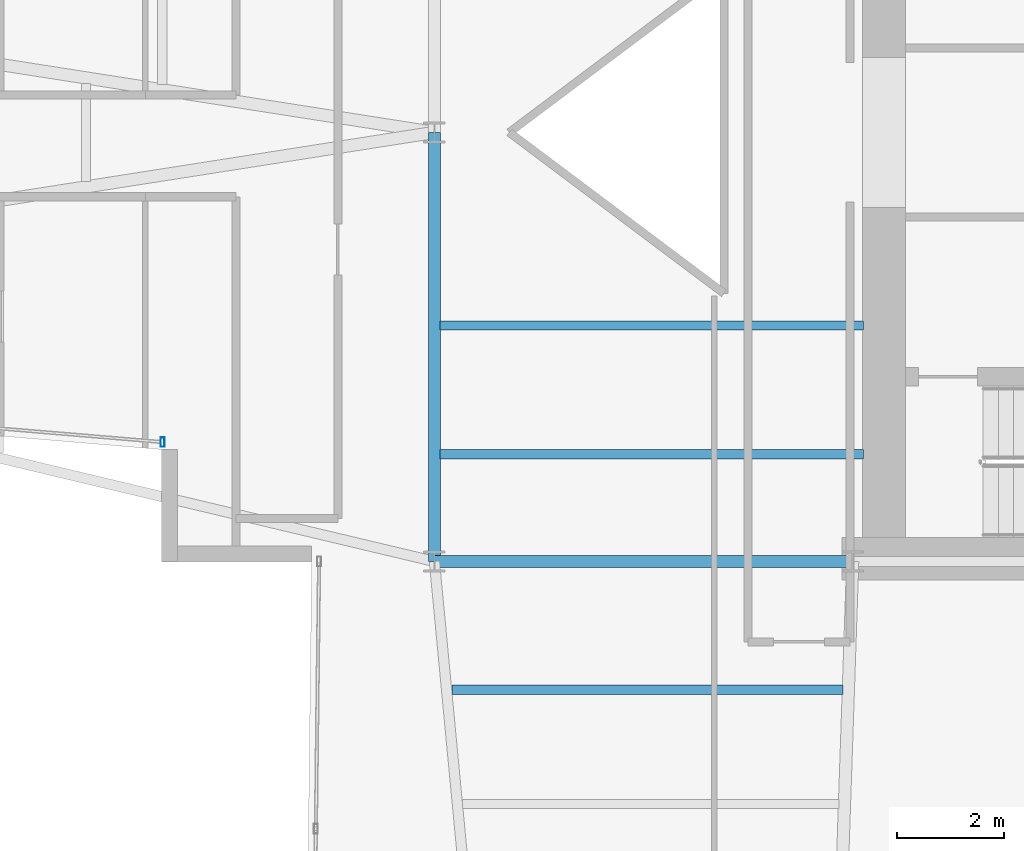
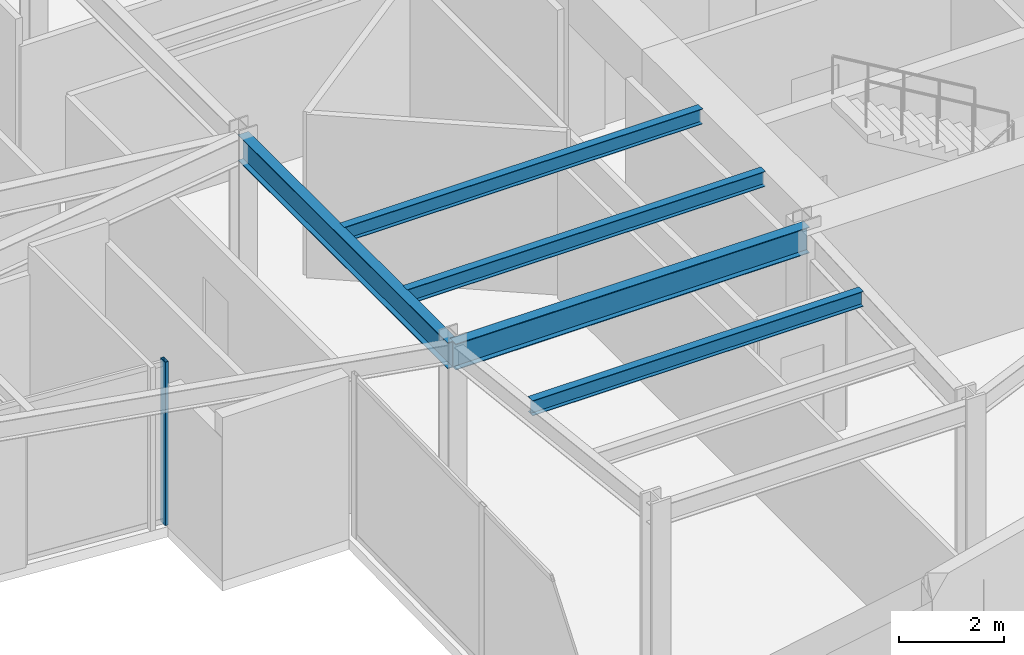
# One storey, part 5 of 26: 5 beams, 1 member, 1 element without a shape of its own.
"""IFC4 building model written with IfcOpenShell, lengths in metres."""

from ifc_helpers import new_model, si_unit, direction, frame, origin, origin_2d, place, context, subcontext, project, spatial, hollow_rectangle, i_section, extrude, material, layer, layer_set, material_profile, profile_set, type_object, element, aggregate, save


model = new_model("IFC4")

# Units and contexts
model_context = context("Model", 3, precision=1e-05, world=origin(), true_north=direction((0.0, 1.0)))
body_context = subcontext(model_context, "Body", "Model", "MODEL_VIEW")
ifc_project = project(units=[si_unit("LENGTHUNIT", "METRE"), si_unit("AREAUNIT", "SQUARE_METRE"), si_unit("VOLUMEUNIT", "CUBIC_METRE"), si_unit("PLANEANGLEUNIT", "RADIAN"), si_unit("MASSUNIT", "GRAM", prefix="KILO")], contexts=[model_context])

# Site, building, storey
site_placement = place(None, origin())
site = spatial("IfcSite", under=ifc_project, at=site_placement, CompositionType="ELEMENT")
building_placement = place(site_placement, origin())
building = spatial("IfcBuilding", under=site, at=building_placement, Name="Veymaron Broadcast Tower", CompositionType="ELEMENT")
storey_placement = place(building_placement, frame((0.0, 0.0, 133.050048828125)))
storey = spatial("IfcBuildingStorey", under=building, at=storey_placement, Name="L30", CompositionType="ELEMENT", Elevation=133.050048828125)

# Beams
ifc_material_1 = material(Name="Structural steel ASTM A992 Gr 50", Category="steel")
ifc_material_profile_1 = material_profile(ifc_material_1, i_section(OverallWidth=0.22802734375, OverallDepth=0.60791015625, WebThickness=0.01123046875, FlangeThickness=0.017333984375, at=origin_2d()), Name="W610X113")
ifc_profile_set_1 = profile_set([ifc_material_profile_1], Name="Structural steel ASTM A992 Gr 50")
beam_type_1 = type_object("IfcBeamType", Name="BM-FG2", PredefinedType="BEAM", material=ifc_profile_set_1)
beam_1_placement = place(storey_placement, frame((31.199951171875, 16.0, 3.505859375), z_axis=(0.0, 1.0, 0.0), x_axis=(-1.0, 0.0, 0.0)))
element("IfcBeam", 1, at=beam_1_placement, inside=storey, type_object=beam_type_1, Name="L30 primary structural floor girder", PredefinedType="BEAM", context=body_context, shape_type="SweptSolid", body=[
    extrude(i_section(OverallWidth=0.22802734375, OverallDepth=0.60791015625, WebThickness=0.01123046875, FlangeThickness=0.017333984375, at=origin_2d()), origin(), (0.0, 0.0, 1.0), 8.0),
])
beam_2_placement = place(storey_placement, frame((31.199951171875, 16.0, 3.505859375), z_axis=(1.0, 0.0, 0.0), x_axis=(0.0, 1.0, 0.0)))
element("IfcBeam", 2, at=beam_2_placement, inside=storey, type_object=beam_type_1, Name="L30 primary structural floor girder", PredefinedType="BEAM", context=body_context, shape_type="SweptSolid", body=[
    extrude(i_section(OverallWidth=0.22802734375, OverallDepth=0.60791015625, WebThickness=0.01123046875, FlangeThickness=0.017333984375, at=origin_2d()), origin(), (0.0, 0.0, 1.0), 7.800048828125),
])
ifc_material_profile_2 = material_profile(ifc_material_1, i_section(OverallWidth=0.1708984375, OverallDepth=0.35498046875, WebThickness=0.007080078125, FlangeThickness=0.01171875, at=origin_2d()), Name="W360X51")
ifc_profile_set_2 = profile_set([ifc_material_profile_2], Name="Structural steel ASTM A992 Gr 50")
beam_type_2 = type_object("IfcBeamType", Name="BM-JS2", PredefinedType="JOIST", material=ifc_profile_set_2)
beam_3_placement = place(storey_placement, frame((31.52685546875, 13.60595703125, 3.632568359375), z_axis=(1.0, 0.0, 0.0), x_axis=(0.0, 1.0, 0.0)))
element("IfcBeam", 3, at=beam_3_placement, inside=storey, type_object=beam_type_2, Name="L30 Arm-C secondary joist 1", PredefinedType="JOIST", context=body_context, shape_type="SweptSolid", body=[
    extrude(i_section(OverallWidth=0.1708984375, OverallDepth=0.35498046875, WebThickness=0.007080078125, FlangeThickness=0.01171875, at=origin_2d()), origin(), (0.0, 0.0, 1.0), 7.292236328125),
])
for number, where, z_axis, x_axis, name in (
    (4, (31.300048828125, 18.0, 3.632568359375), (1.0, 0.0, 0.0), (0.0, 1.0, 0.0), "L30 Hub secondary joist 1"),
    (5, (31.300048828125, 20.39990234375, 3.632568359375), (1.0, 0.0, 0.0), (0.0, 1.0, 0.0), "L30 Hub secondary joist 2"),
):
    element("IfcBeam", number, at=place(storey_placement, frame(where, z_axis=z_axis, x_axis=x_axis)), inside=storey, type_object=beam_type_2, Name=name, PredefinedType="JOIST", context=body_context, shape_type="SweptSolid", body=[
        extrude(i_section(OverallWidth=0.1708984375, OverallDepth=0.35498046875, WebThickness=0.007080078125, FlangeThickness=0.01171875, at=origin_2d()), origin(), (0.0, 0.0, 1.0), 7.89990234375),
    ])

# Curtain wall, member
ifc_material_2 = material(Name="Anodised aluminium AA 6063-T6 and laminated low-E dark glass", Category="aluminium")
ifc_layer = layer(ifc_material_2, 0.179931640625)
ifc_layer_set = layer_set([ifc_layer], Name="Anodised aluminium AA 6063-T6 and laminated low-E dark glass")
curtain_wall_type = type_object("IfcCurtainWallType", Name="CW-SYS-03", PredefinedType="NOTDEFINED", material=ifc_layer_set)
curtain_wall_placement = place(storey_placement, origin())
curtain_wall = element("IfcCurtainWall", 6, at=curtain_wall_placement, inside=storey, type_object=curtain_wall_type, Name="L30 dark-glass curtain wall CW-L30-E14-1", PredefinedType="NOTDEFINED")
ifc_material_3 = material(Name="Anodised aluminium AA 6063-T6", Category="aluminium")
ifc_material_profile_3 = material_profile(ifc_material_3, hollow_rectangle(XDim=0.074951171875, YDim=0.179931640625, WallThickness=0.0048828125, at=origin_2d()), Name="AL180X75X5")
ifc_profile_set_3 = profile_set([ifc_material_profile_3], Name="Anodised aluminium AA 6063-T6")
member_type = type_object("IfcMemberType", Name="CW-MUL-02", PredefinedType="MULLION", material=ifc_profile_set_3)
member_placement = place(storey_placement, frame((26.131591796875, 18.225341796875, 0.0), z_axis=(0.0, 0.0, 1.0), x_axis=(1.0, 0.0, 0.0)))
member = element("IfcMember", 7, at=member_placement, type_object=member_type, Name="CW-L30-E14-1 mullion 2", PredefinedType="MULLION", context=body_context, shape_type="SweptSolid", body=[
    extrude(hollow_rectangle(XDim=0.074951171875, YDim=0.179931640625, WallThickness=0.0048828125, at=origin_2d()), origin(), (0.0, 0.0, 1.0), 3.81005859375),
])
aggregate(curtain_wall, [member])

save(model, "model.ifc")
